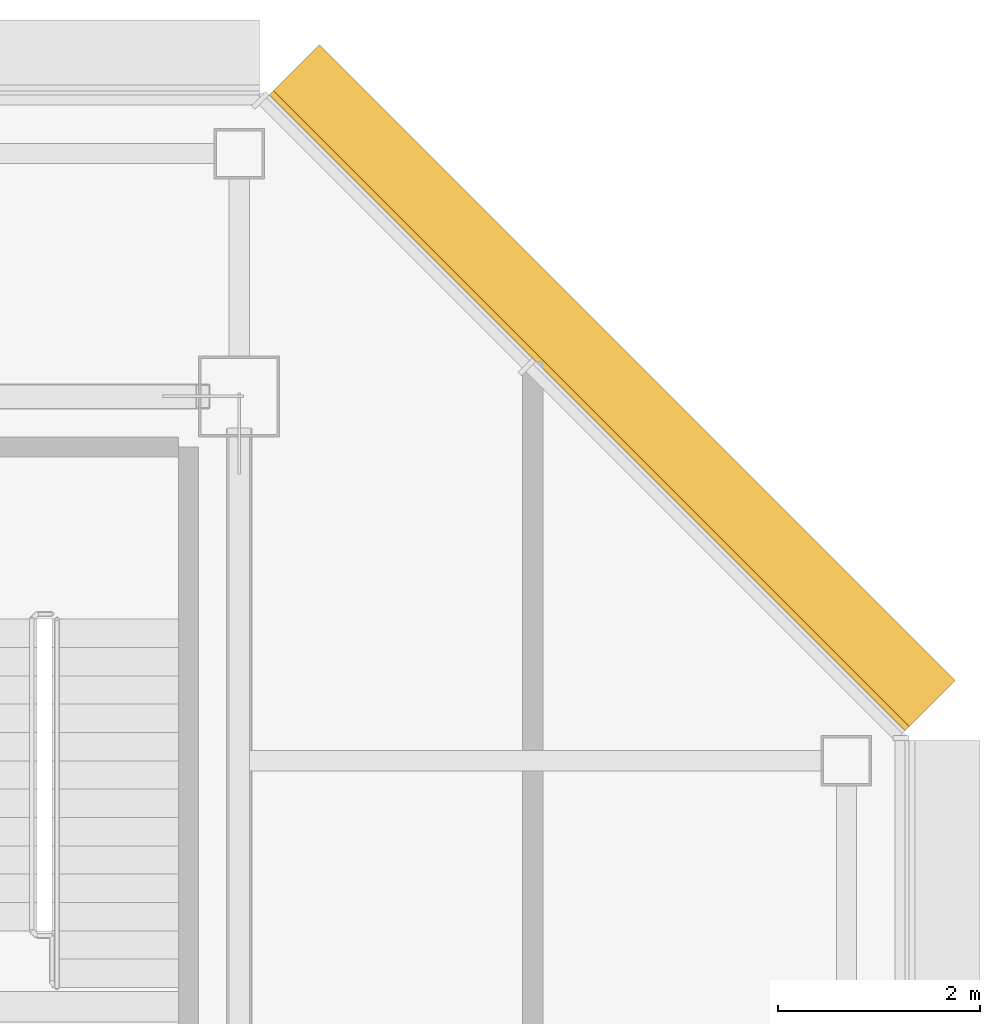
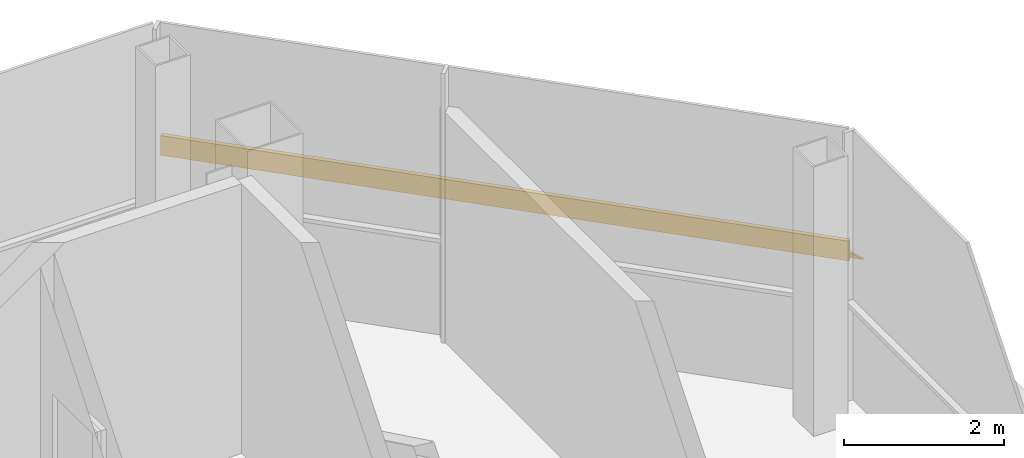
# One storey, part 28 of 29: 1 shading device.
"""IFC4 building model written with IfcOpenShell, lengths in metres."""

from ifc_helpers import new_model, si_unit, direction, frame, origin, place, context, subcontext, project, spatial, polyline, outline, extrude, material, type_object, element, save


model = new_model("IFC4")

# Units and contexts
model_context = context("Model", 3, precision=1e-05, world=origin(), true_north=direction((0.0, 1.0)))
body_context = subcontext(model_context, "Body", "Model", "MODEL_VIEW")
ifc_project = project(units=[si_unit("LENGTHUNIT", "METRE"), si_unit("AREAUNIT", "SQUARE_METRE"), si_unit("VOLUMEUNIT", "CUBIC_METRE"), si_unit("PLANEANGLEUNIT", "RADIAN"), si_unit("MASSUNIT", "GRAM", prefix="KILO")], contexts=[model_context])

# Site, building, storey
site_placement = place(None, origin())
site = spatial("IfcSite", under=ifc_project, at=site_placement, CompositionType="ELEMENT")
building_placement = place(site_placement, origin())
building = spatial("IfcBuilding", under=site, at=building_placement, Name="Sorahane Residences", CompositionType="ELEMENT")
storey_placement = place(building_placement, frame((0.0, 0.0, 326.800048828125)))
storey = spatial("IfcBuildingStorey", under=building, at=storey_placement, Name="L78", CompositionType="ELEMENT", Elevation=326.800048828125)

# Shading device
ifc_material = material(Name="Terracotta anodised aluminium", Category="masonry")
shading_device_type = type_object("IfcShadingDeviceType", Name="Louvre sunshade blade NE terracotta aluminium 700", PredefinedType="JALOUSIE", material=ifc_material)
shading_device_placement = place(storey_placement, frame((48.564697265625, 42.283935546875, 2.199951171875), z_axis=(-0.707106781187, 0.707106781187, 0.0), x_axis=(-0.707106781187, -0.707106781187, 0.0)))
element("IfcShadingDevice", 1, at=shading_device_placement, inside=storey, type_object=shading_device_type, Name="Louvre sunshade blade bank NE L78 NE1", PredefinedType="JALOUSIE", context=body_context, shape_type="SweptSolid", body=[
    extrude(outline(polyline([(-0.719970703125, -0.572509765625), (-0.719970703125, -0.602294921875), (-0.080078125, -0.065185546875), (-0.080078125, -0.14990234375), (-0.02001953125, -0.14990234375), (-0.02001953125, -0.014892578125), (-0.02001953125, 0.014892578125), (-0.02001953125, 0.14990234375), (-0.080078125, 0.14990234375), (-0.080078125, -0.035400390625), (-0.719970703125, -0.572509765625)])), origin(), (0.0, 0.0, 1.0), 8.88232421875),
])

save(model, "model.ifc")
